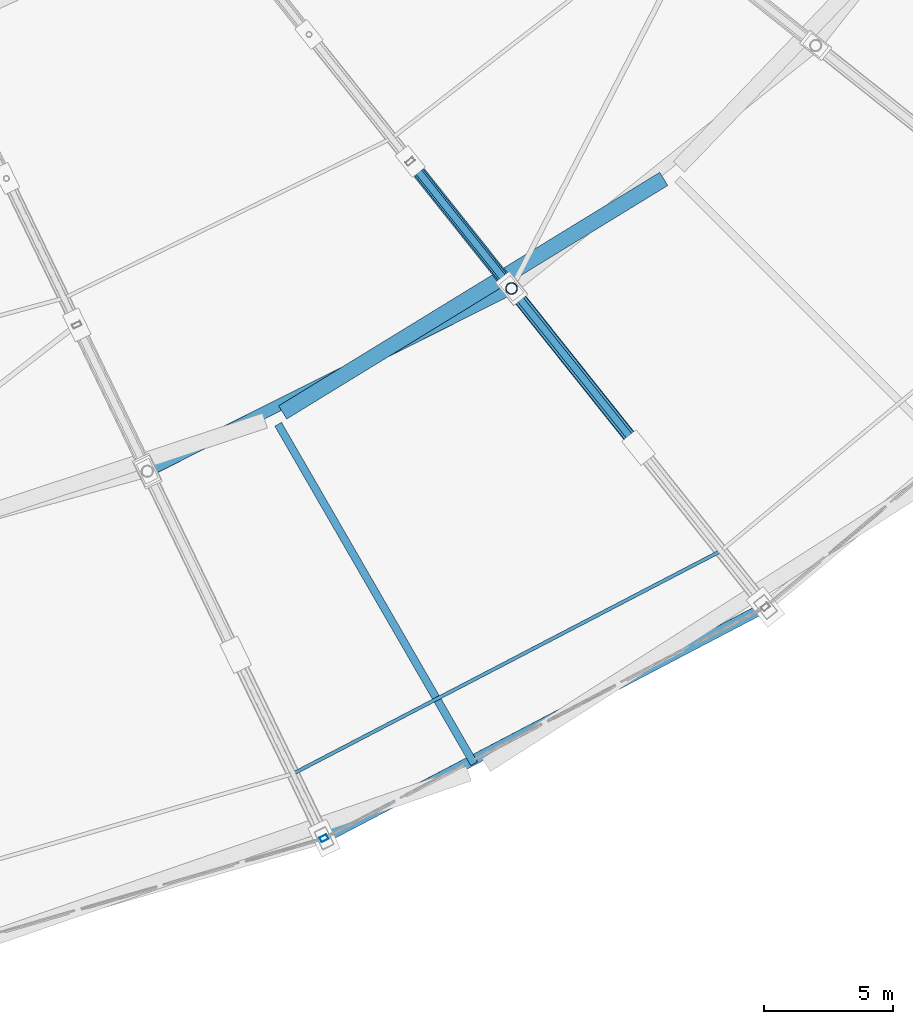
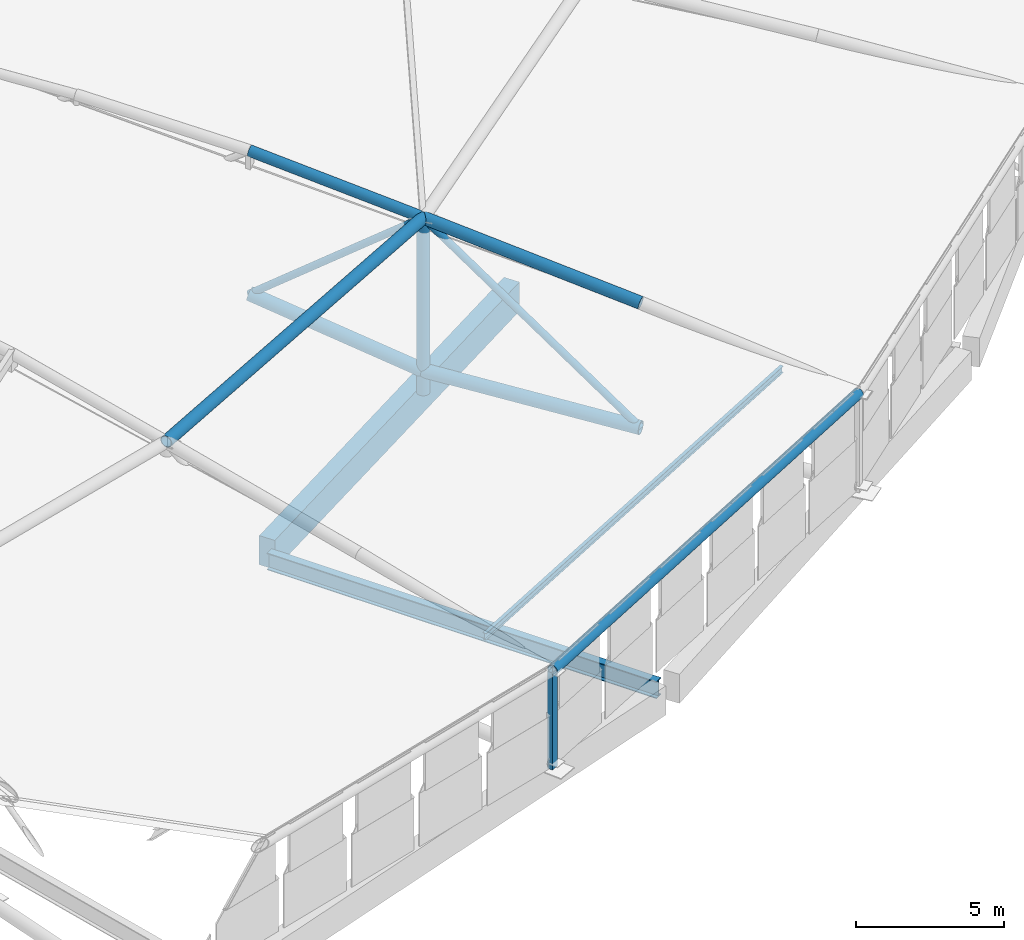
# One storey, part 59 of 108: 11 members, 2 beams.
"""IFC4 building model written with IfcOpenShell, lengths in metres."""

from ifc_helpers import new_model, si_unit, direction, frame, origin, origin_2d, place, context, subcontext, project, spatial, rectangle, hollow_rectangle, hollow_circle, i_section, extrude, material, material_profile, profile_set, type_object, element, save


model = new_model("IFC4")

# Units and contexts
model_context = context("Model", 3, precision=1e-05, world=origin(), true_north=direction((0.0, 1.0)))
body_context = subcontext(model_context, "Body", "Model", "MODEL_VIEW")
ifc_project = project(units=[si_unit("LENGTHUNIT", "METRE"), si_unit("AREAUNIT", "SQUARE_METRE"), si_unit("VOLUMEUNIT", "CUBIC_METRE"), si_unit("PLANEANGLEUNIT", "RADIAN"), si_unit("MASSUNIT", "GRAM", prefix="KILO")], contexts=[model_context])

# Site, building, storey
site_placement = place(None, origin())
site = spatial("IfcSite", under=ifc_project, at=site_placement, CompositionType="ELEMENT")
building_placement = place(site_placement, origin())
building = spatial("IfcBuilding", under=site, at=building_placement, Name="Zevraka Park Crest Stadium", CompositionType="ELEMENT")
storey_placement = place(building_placement, frame((0.0, 0.0, 29.39990234375)))
storey = spatial("IfcBuildingStorey", under=building, at=storey_placement, Name="RF", CompositionType="ELEMENT", Elevation=29.39990234375)

# Beam
ifc_material_1 = material(Name="Steel S355", Category="steel")
ifc_material_profile_1 = material_profile(ifc_material_1, i_section(OverallWidth=0.300048828125, OverallDepth=0.699951171875, WebThickness=0.01708984375, FlangeThickness=0.031982421875, at=origin_2d()), Name="HEB 700")
ifc_profile_set_1 = profile_set([ifc_material_profile_1], Name="Steel S355")
beam_type_1 = type_object("IfcBeamType", Name="BG06", PredefinedType="BEAM", material=ifc_profile_set_1)
beam_1_placement = place(storey_placement, frame((149.39990234375, 40.2109375, -0.534912109375), z_axis=(0.500026023896, -0.86601037836, 0.0), x_axis=(0.86601037836, 0.500026023896, 0.0)))
element("IfcBeam", 1, at=beam_1_placement, inside=storey, type_object=beam_type_1, Name="Radial Girder BG06 RF-BD-20", PredefinedType="BEAM", context=body_context, shape_type="SweptSolid", body=[
    extrude(i_section(OverallWidth=0.300048828125, OverallDepth=0.699951171875, WebThickness=0.01708984375, FlangeThickness=0.031982421875, at=origin_2d()), origin(), (0.0, 0.0, 1.0), 15.199462890625),
])

# Member
ifc_material_2 = material(Name="Steel S355", Category="steel")
ifc_material_profile_2 = material_profile(ifc_material_2, i_section(OverallWidth=0.135009765625, OverallDepth=0.27001953125, WebThickness=0.006591796875, FlangeThickness=0.01025390625, at=origin_2d()), Name="IPE 270")
ifc_profile_set_2 = profile_set([ifc_material_profile_2], Name="Steel S355")
member_type_1 = type_object("IfcMemberType", Name="PR04", PredefinedType="PURLIN", material=ifc_profile_set_2)
member_1_placement = place(storey_placement, frame((149.97607421875, 26.657958984375, 4.302001953125), z_axis=(0.886970325998, 0.461826418471, 0.0), x_axis=(-0.461826418471, 0.886970325998, 0.0)))
element("IfcMember", 2, at=member_1_placement, inside=storey, type_object=member_type_1, Name="Canopy Roof Purlin PR04 OUTER-24-1", PredefinedType="PURLIN", context=body_context, shape_type="SweptSolid", body=[
    extrude(i_section(OverallWidth=0.135009765625, OverallDepth=0.27001953125, WebThickness=0.006591796875, FlangeThickness=0.01025390625, at=origin_2d()), origin(), (0.0, 0.0, 1.0), 18.708740234375),
])

# Beam
ifc_material_3 = material(Name="Concrete C40/50", Category="concrete")
ifc_material_profile_3 = material_profile(ifc_material_3, rectangle(XDim=0.60009765625, YDim=1.199951171875, at=origin_2d()), Name="RC 1200x600")
ifc_profile_set_3 = profile_set([ifc_material_profile_3], Name="Concrete C40/50")
beam_type_2 = type_object("IfcBeamType", Name="RB01", PredefinedType="BEAM", material=ifc_profile_set_3)
beam_2_placement = place(storey_placement, frame((149.573974609375, 40.669921875, -0.599853515625), z_axis=(0.852632623571, 0.522510869956, 0.0), x_axis=(-0.522510869956, 0.852632623571, 0.0)))
element("IfcBeam", 3, at=beam_2_placement, inside=storey, type_object=beam_type_2, Name="Ring Beam RB01 RF-B-20", PredefinedType="BEAM", context=body_context, shape_type="SweptSolid", body=[
    extrude(rectangle(XDim=0.60009765625, YDim=1.199951171875, at=origin_2d()), origin(), (0.0, 0.0, 1.0), 17.335693359375),
])

# Members
ifc_material_4 = material(Name="Steel S355", Category="steel")
ifc_material_profile_4 = material_profile(ifc_material_4, hollow_circle(Radius=0.25390625, WallThickness=0.030029296875, at=origin_2d()), Name="CHS 508.0x30")
ifc_profile_set_4 = profile_set([ifc_material_profile_4], Name="Steel S355")
member_type_2 = type_object("IfcMemberType", Name="TC01", PredefinedType="CHORD", material=ifc_profile_set_4)
member_2_placement = place(storey_placement, frame((163.3759765625, 39.304931640625, 0.550048828125), z_axis=(-0.622941021259, 0.78101496827, 0.04427305469), x_axis=(-0.781781530396, -0.623552434629, 0.0)))
element("IfcMember", 4, at=member_2_placement, inside=storey, type_object=member_type_2, Name="Roof Truss Bottom Chord TC01 T25-2", PredefinedType="CHORD", context=body_context, shape_type="SweptSolid", body=[
    extrude(hollow_circle(Radius=0.25390625, WallThickness=0.030029296875, at=origin_2d()), origin(), (0.0, 0.0, 1.0), 7.90771484375),
])
member_3_placement = place(storey_placement, frame((158.449951171875, 45.48095703125, 0.900146484375), z_axis=(-0.605398728086, 0.759222458611, 0.238900896551), x_axis=(-0.781862092926, -0.623451415626, 0.0)))
element("IfcMember", 5, at=member_3_placement, inside=storey, type_object=member_type_2, Name="Roof Truss Bottom Chord TC01 T25-3", PredefinedType="CHORD", context=body_context, shape_type="SweptSolid", body=[
    extrude(hollow_circle(Radius=0.25390625, WallThickness=0.030029296875, at=origin_2d()), origin(), (0.0, 0.0, 1.0), 6.48828125),
])
ifc_material_5 = material(Name="Steel S355", Category="steel")
ifc_material_profile_5 = material_profile(ifc_material_5, hollow_circle(Radius=0.228515625, WallThickness=0.02490234375, at=origin_2d()), Name="CHS 457.0x25")
ifc_profile_set_5 = profile_set([ifc_material_profile_5], Name="Steel S355")
member_type_3 = type_object("IfcMemberType", Name="TC02", PredefinedType="CHORD", material=ifc_profile_set_5)
member_4_placement = place(storey_placement, frame((158.449951171875, 45.48095703125, 0.0), z_axis=(0.0, 0.0, 1.0), x_axis=(-0.623470308046, 0.781847027868, 0.0)))
element("IfcMember", 6, at=member_4_placement, inside=storey, type_object=member_type_3, Name="Roof Truss Anchor Strut TC02 T25-2", PredefinedType="CHORD", context=body_context, shape_type="SweptSolid", body=[
    extrude(hollow_circle(Radius=0.228515625, WallThickness=0.02490234375, at=origin_2d()), origin(), (0.0, 0.0, 1.0), 7.2001953125),
])
member_5_placement = place(storey_placement, frame((163.3759765625, 39.304931640625, 5.7001953125), z_axis=(-0.612607206278, 0.768058903564, 0.186542036743), x_axis=(-0.781781530396, -0.623552434629, 0.0)))
element("IfcMember", 7, at=member_5_placement, inside=storey, type_object=member_type_3, Name="Roof Truss Top Chord TC02 T25-2", PredefinedType="CHORD", context=body_context, shape_type="SweptSolid", body=[
    extrude(hollow_circle(Radius=0.228515625, WallThickness=0.02490234375, at=origin_2d()), origin(), (0.0, 0.0, 1.0), 8.041015625),
])
member_6_placement = place(storey_placement, frame((144.323974609375, 38.39208984375, 7.2001953125), z_axis=(0.893771273237, 0.448523033006, 0.0), x_axis=(-0.448523033006, 0.893771273237, 0.0)))
element("IfcMember", 8, at=member_6_placement, inside=storey, type_object=member_type_3, Name="Roof Main Bowl-Rim Ring Chord TC02 24", PredefinedType="CHORD", context=body_context, shape_type="SweptSolid", body=[
    extrude(hollow_circle(Radius=0.228515625, WallThickness=0.02490234375, at=origin_2d()), origin(), (0.0, 0.0, 1.0), 15.804931640625),
])
ifc_material_6 = material(Name="Steel S355", Category="steel")
ifc_material_profile_6 = material_profile(ifc_material_6, hollow_circle(Radius=0.203125, WallThickness=0.02001953125, at=origin_2d()), Name="CHS 406.4x20")
ifc_profile_set_6 = profile_set([ifc_material_profile_6], Name="Steel S355")
member_type_4 = type_object("IfcMemberType", Name="TC03", PredefinedType="CHORD", material=ifc_profile_set_6)
member_7_placement = place(storey_placement, frame((158.449951171875, 45.48095703125, 7.2001953125), z_axis=(-0.613319917496, 0.769156316447, 0.179547318752), x_axis=(-0.781862092926, -0.623451415626, 0.0)))
element("IfcMember", 9, at=member_7_placement, inside=storey, type_object=member_type_4, Name="Roof Truss Top Chord TC03 T25-3", PredefinedType="CHORD", context=body_context, shape_type="SweptSolid", body=[
    extrude(hollow_circle(Radius=0.203125, WallThickness=0.02001953125, at=origin_2d()), origin(), (0.0, 0.0, 1.0), 6.404541015625),
])
member_8_placement = place(storey_placement, frame((151.179931640625, 24.156982421875, 4.0), z_axis=(0.885772936576, 0.464118847742, 0.0), x_axis=(-0.464118847742, 0.885772936576, 0.0)))
element("IfcMember", 10, at=member_8_placement, inside=storey, type_object=member_type_4, Name="Roof Outer Canopy Ring Chord TC03 24", PredefinedType="CHORD", context=body_context, shape_type="SweptSolid", body=[
    extrude(hollow_circle(Radius=0.203125, WallThickness=0.02001953125, at=origin_2d()), origin(), (0.0, 0.0, 1.0), 19.3291015625),
])
ifc_material_7 = material(Name="Steel S355", Category="steel")
ifc_material_profile_7 = material_profile(ifc_material_7, hollow_circle(Radius=0.136474609375, WallThickness=0.012451171875, at=origin_2d()), Name="CHS 273.0x12.5")
ifc_profile_set_7 = profile_set([ifc_material_profile_7], Name="Steel S355")
member_type_5 = type_object("IfcMemberType", Name="WB01", PredefinedType="BRACE", material=ifc_profile_set_7)
member_9_placement = place(storey_placement, frame((163.3759765625, 39.304931640625, 0.550048828125), z_axis=(-0.477034607689, 0.598084178555, 0.643997902504), x_axis=(-0.781781530396, -0.623552434629, 0.0)))
element("IfcMember", 11, at=member_9_placement, inside=storey, type_object=member_type_5, Name="Roof Truss Web Diagonal WB01 T25-2", PredefinedType="BRACE", context=body_context, shape_type="SweptSolid", body=[
    extrude(hollow_circle(Radius=0.136474609375, WallThickness=0.012451171875, at=origin_2d()), origin(), (0.0, 0.0, 1.0), 10.326416015625),
])
member_10_placement = place(storey_placement, frame((154.52197265625, 50.406982421875, 2.4501953125), z_axis=(0.497822093895, -0.624312038567, 0.602003024353), x_axis=(0.781862092926, 0.623451415626, 0.0)))
element("IfcMember", 12, at=member_10_placement, inside=storey, type_object=member_type_5, Name="Roof Truss Web Diagonal WB01 T25-3", PredefinedType="BRACE", context=body_context, shape_type="SweptSolid", body=[
    extrude(hollow_circle(Radius=0.136474609375, WallThickness=0.012451171875, at=origin_2d()), origin(), (0.0, 0.0, 1.0), 7.890380859375),
])
ifc_material_8 = material(Name="Steel S355", Category="steel")
ifc_material_profile_8 = material_profile(ifc_material_8, hollow_rectangle(XDim=0.199951171875, YDim=0.300048828125, WallThickness=0.012451171875, at=origin_2d()), Name="RHS 300x200x12.5")
ifc_profile_set_8 = profile_set([ifc_material_profile_8], Name="Steel S355")
member_type_6 = type_object("IfcMemberType", Name="WB03", PredefinedType="BRACE", material=ifc_profile_set_8)
member_11_placement = place(storey_placement, frame((151.179931640625, 24.156982421875, 0.0), z_axis=(0.0, 0.0, 1.0), x_axis=(-0.43381634559, 0.90100131981, 0.0)))
element("IfcMember", 13, at=member_11_placement, inside=storey, type_object=member_type_6, Name="Roof Truss Anchor Strut WB03 T24-0", PredefinedType="BRACE", context=body_context, shape_type="SweptSolid", body=[
    extrude(hollow_rectangle(XDim=0.199951171875, YDim=0.300048828125, WallThickness=0.012451171875, at=origin_2d()), origin(), (0.0, 0.0, 1.0), 4.0),
])

save(model, "model.ifc")
